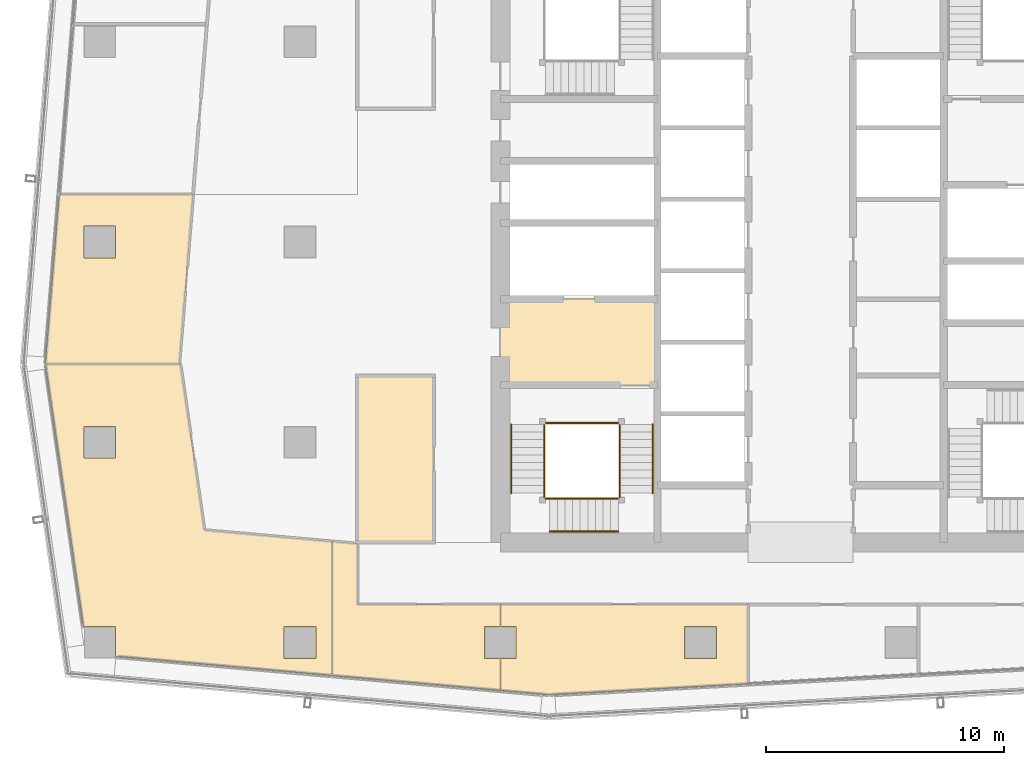
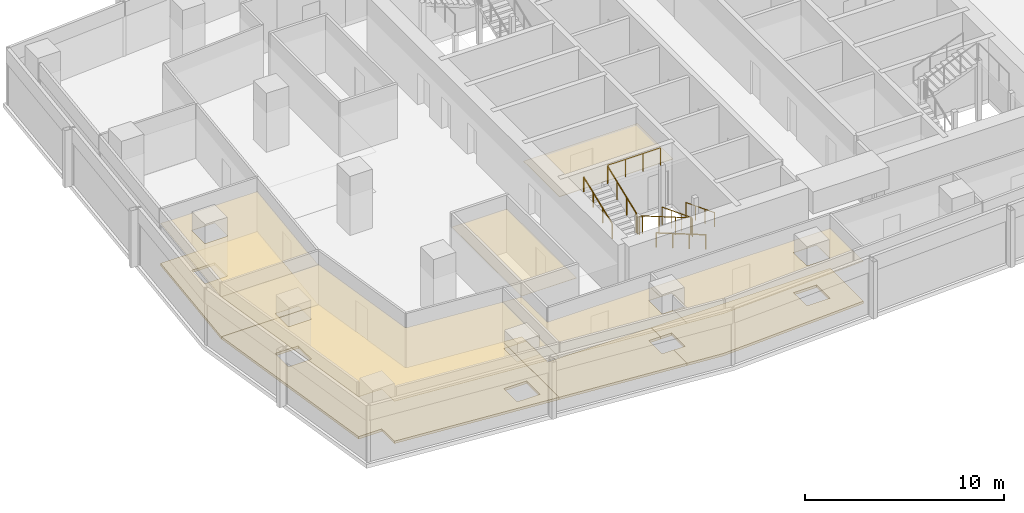
# One storey, part 26 of 29: 10 coverings, 10 railings.
"""IFC4 building model written with IfcOpenShell, lengths in metres."""

from ifc_helpers import new_model, si_unit, direction, frame, origin, origin_2d, place, context, subcontext, project, spatial, polyline, circle, outline, extrude, material, layer, layer_set, type_object, element, save


model = new_model("IFC4")

# Units and contexts
model_context = context("Model", 3, precision=1e-05, world=origin(), true_north=direction((0.0, 1.0)))
body_context = subcontext(model_context, "Body", "Model", "MODEL_VIEW")
ifc_project = project(units=[si_unit("LENGTHUNIT", "METRE"), si_unit("AREAUNIT", "SQUARE_METRE"), si_unit("VOLUMEUNIT", "CUBIC_METRE"), si_unit("PLANEANGLEUNIT", "RADIAN"), si_unit("MASSUNIT", "GRAM", prefix="KILO")], contexts=[model_context])

# Site, building, storey
site_placement = place(None, origin())
site = spatial("IfcSite", under=ifc_project, at=site_placement, CompositionType="ELEMENT")
building_placement = place(site_placement, origin())
building = spatial("IfcBuilding", under=site, at=building_placement, Name="Rekha Terrace Tower", CompositionType="ELEMENT")
storey_placement = place(building_placement, frame((0.0, 0.0, 276.35009765625)))
storey = spatial("IfcBuildingStorey", under=building, at=storey_placement, Name="L70", CompositionType="ELEMENT", Elevation=276.35009765625)

# Coverings
ifc_material_1 = material(Name="Mineral fibre tile in exposed grid", Category="finish")
ifc_layer_1 = layer(ifc_material_1, 0.02001953125)
ifc_layer_set_1 = layer_set([ifc_layer_1], Name="Mineral fibre tile in exposed grid")
covering_type_1 = type_object("IfcCoveringType", Name="CL1 600x1200 office grid ceiling", PredefinedType="CEILING", material=ifc_layer_set_1)
covering_1_placement = place(storey_placement, frame((0.0, 0.0, 2.579833984375)))
element("IfcCovering", 1, at=covering_1_placement, inside=storey, type_object=covering_type_1, Name="Ceiling L70-12", PredefinedType="CEILING", context=body_context, shape_type="SweptSolid", body=[
    extrude(outline(polyline([(11.73193359375, 28.491943359375), (12.30908203125, 35.589111328125), (6.69091796875, 35.589111328125), (6.113037109375, 28.491943359375), (11.73193359375, 28.491943359375)]), holes=[polyline([(9.06494140625, 34.264892578125), (9.06494140625, 32.93505859375), (7.735107421875, 32.93505859375), (7.735107421875, 34.264892578125), (9.06494140625, 34.264892578125)])]), origin(), (0.0, 0.0, 1.0), 0.02001953125),
])
covering_2_placement = place(storey_placement, frame((0.0, 0.0, 2.579833984375)))
element("IfcCovering", 2, at=covering_2_placement, inside=storey, type_object=covering_type_1, Name="Ceiling L70-13", PredefinedType="CEILING", context=body_context, shape_type="SweptSolid", body=[
    extrude(outline(polyline([(6.12109375, 28.490966796875), (7.715087890625, 17.465087890625), (9.06494140625, 17.465087890625), (9.06494140625, 16.22705078125), (18.14892578125, 15.4189453125), (18.14892578125, 21.041015625), (12.787109375, 21.51806640625), (11.779052734375, 28.490966796875), (6.12109375, 28.490966796875)]), holes=[polyline([(17.465087890625, 17.465087890625), (17.465087890625, 16.135009765625), (16.135009765625, 16.135009765625), (16.135009765625, 17.465087890625), (17.465087890625, 17.465087890625)]), polyline([(9.06494140625, 25.864990234375), (9.06494140625, 24.534912109375), (7.735107421875, 24.534912109375), (7.735107421875, 25.864990234375), (9.06494140625, 25.864990234375)])]), origin(), (0.0, 0.0, 1.0), 0.02001953125),
])
covering_3_placement = place(storey_placement, frame((0.0, 0.0, 2.579833984375)))
element("IfcCovering", 3, at=covering_3_placement, inside=storey, type_object=covering_type_1, Name="Ceiling L70-14", PredefinedType="CEILING", context=body_context, shape_type="SweptSolid", body=[
    extrude(outline(polyline([(19.199951171875, 18.39990234375), (19.199951171875, 20.947998046875), (18.14990234375, 21.041015625), (18.14990234375, 15.4189453125), (25.2060546875, 14.7919921875), (25.2060546875, 16.135009765625), (24.534912109375, 16.135009765625), (24.534912109375, 17.465087890625), (25.2060546875, 17.465087890625), (25.2060546875, 18.39990234375), (19.199951171875, 18.39990234375)])), origin(), (0.0, 0.0, 1.0), 0.02001953125),
])
covering_4_placement = place(storey_placement, frame((0.0, 0.0, 2.579833984375)))
element("IfcCovering", 4, at=covering_4_placement, inside=storey, type_object=covering_type_1, Name="Ceiling L70-15", PredefinedType="CEILING", context=body_context, shape_type="SweptSolid", body=[
    extrude(outline(polyline([(35.597900390625, 15.069091796875), (35.597900390625, 18.39990234375), (25.20703125, 18.39990234375), (25.20703125, 17.465087890625), (25.864990234375, 17.465087890625), (25.864990234375, 16.135009765625), (25.20703125, 16.135009765625), (25.20703125, 14.7919921875), (27.221923828125, 14.613037109375), (35.597900390625, 15.069091796875)]), holes=[polyline([(34.264892578125, 16.135009765625), (32.93505859375, 16.135009765625), (32.93505859375, 17.465087890625), (34.264892578125, 17.465087890625), (34.264892578125, 16.135009765625)])]), origin(), (0.0, 0.0, 1.0), 0.02001953125),
])
ifc_material_2 = material(Name="Fibre cement board", Category="finish")
ifc_layer_2 = layer(ifc_material_2, 0.014892578125)
ifc_layer_set_2 = layer_set([ifc_layer_2], Name="Fibre cement board")
covering_type_2 = type_object("IfcCoveringType", Name="CL2 moisture-resistant board ceiling", PredefinedType="CEILING", material=ifc_layer_set_2)
covering_5_placement = place(storey_placement, frame((0.0, 0.0, 2.5849609375)))
element("IfcCovering", 5, at=covering_5_placement, inside=storey, type_object=covering_type_2, Name="Ceiling L70-WCM", PredefinedType="CEILING", context=body_context, shape_type="SweptSolid", body=[
    extrude(outline(polyline([(22.39990234375, 28.0), (19.199951171875, 28.0), (19.199951171875, 21.0), (22.39990234375, 21.0), (22.39990234375, 28.0)])), origin(), (0.0, 0.0, 1.0), 0.014892578125),
])
ifc_material_3 = material(Name="Powder-coated aluminium pan", Category="aluminium")
ifc_layer_3 = layer(ifc_material_3, 0.030029296875)
ifc_layer_set_3 = layer_set([ifc_layer_3], Name="Powder-coated aluminium pan")
covering_type_3 = type_object("IfcCoveringType", Name="CL3 300x1200 metal pan ceiling", PredefinedType="CEILING", material=ifc_layer_set_3)
covering_6_placement = place(storey_placement, frame((0.0, 0.0, 2.56982421875)))
element("IfcCovering", 6, at=covering_6_placement, inside=storey, type_object=covering_type_3, Name="Ceiling L70-FLB1", PredefinedType="CEILING", context=body_context, shape_type="SweptSolid", body=[
    extrude(outline(polyline([(31.800048828125, 31.199951171875), (25.199951171875, 31.199951171875), (25.199951171875, 27.60009765625), (31.800048828125, 27.60009765625), (31.800048828125, 31.199951171875)])), origin(), (0.0, 0.0, 1.0), 0.030029296875),
])

# Railings
ifc_material_4 = material(Name="Stainless steel balustrade", Category="steel")
railing_type_1 = type_object("IfcRailingType", Name="GR1 1100 stair guard", PredefinedType="GUARDRAIL", material=ifc_material_4)
railing_1_placement = place(storey_placement, frame((30.2099609375, 25.949951171875, 0.125)))
element("IfcRailing", 7, at=railing_1_placement, inside=storey, type_object=railing_type_1, Name="Guard ST1 L70 flight 1", PredefinedType="GUARDRAIL", context=body_context, shape_type="SweptSolid", body=[
    extrude(circle(Radius=0.02392578125, at=origin_2d()), frame((0.0, 0.0, 1.076171875), z_axis=(0.0, -0.931452331594, 0.363863372667), x_axis=(1.0, 0.0, 0.0)), (0.0, 0.0, 1.0), 3.091796875),
    extrude(circle(Radius=0.02099609375, at=origin_2d()), origin(), (0.0, 0.0, 1.0), 1.052001953125),
    extrude(circle(Radius=0.02099609375, at=origin_2d()), frame((0.0, -0.9599609375, 0.375)), (0.0, 0.0, 1.0), 1.052001953125),
    extrude(circle(Radius=0.02099609375, at=origin_2d()), frame((0.0, -1.919921875, 0.75)), (0.0, 0.0, 1.0), 1.052001953125),
    extrude(circle(Radius=0.02099609375, at=origin_2d()), frame((0.0, -2.8798828125, 1.125)), (0.0, 0.0, 1.0), 1.052001953125),
])
railing_2_placement = place(storey_placement, frame((30.14990234375, 22.840087890625, 1.375)))
element("IfcRailing", 8, at=railing_2_placement, inside=storey, type_object=railing_type_1, Name="Guard ST1 L70 flight 2", PredefinedType="GUARDRAIL", context=body_context, shape_type="SweptSolid", body=[
    extrude(circle(Radius=0.02392578125, at=origin_2d()), frame((0.0, 0.0, 1.076171875), z_axis=(-0.931452331594, 0.0, 0.363863372667), x_axis=(0.0, -1.0, 0.0)), (0.0, 0.0, 1.0), 3.091796875),
    extrude(circle(Radius=0.02099609375, at=origin_2d()), origin(), (0.0, 0.0, 1.0), 1.052001953125),
    extrude(circle(Radius=0.02099609375, at=origin_2d()), frame((-0.9599609375, 0.0, 0.375)), (0.0, 0.0, 1.0), 1.052001953125),
    extrude(circle(Radius=0.02099609375, at=origin_2d()), frame((-1.919921875, 0.0, 0.75)), (0.0, 0.0, 1.0), 1.052001953125),
    extrude(circle(Radius=0.02099609375, at=origin_2d()), frame((-2.8798828125, 0.0, 1.125)), (0.0, 0.0, 1.0), 1.052001953125),
])
railing_3_placement = place(storey_placement, frame((27.0400390625, 23.070068359375, 2.625)))
element("IfcRailing", 9, at=railing_3_placement, inside=storey, type_object=railing_type_1, Name="Guard ST1 L70 flight 3", PredefinedType="GUARDRAIL", context=body_context, shape_type="SweptSolid", body=[
    extrude(circle(Radius=0.02392578125, at=origin_2d()), frame((0.0, 0.0, 1.076171875), z_axis=(0.0, 0.931452331594, 0.363863372667), x_axis=(-1.0, 0.0, 0.0)), (0.0, 0.0, 1.0), 3.091796875),
    extrude(circle(Radius=0.02099609375, at=origin_2d()), origin(), (0.0, 0.0, 1.0), 1.052001953125),
    extrude(circle(Radius=0.02099609375, at=origin_2d()), frame((0.0, 0.9599609375, 0.375)), (0.0, 0.0, 1.0), 1.052001953125),
    extrude(circle(Radius=0.02099609375, at=origin_2d()), frame((0.0, 1.919921875, 0.75)), (0.0, 0.0, 1.0), 1.052001953125),
    extrude(circle(Radius=0.02099609375, at=origin_2d()), frame((0.0, 2.8798828125, 1.125)), (0.0, 0.0, 1.0), 1.052001953125),
])
railing_4_placement = place(storey_placement, frame((30.2099609375, 23.070068359375, 1.25)))
element("IfcRailing", 10, at=railing_4_placement, inside=storey, type_object=railing_type_1, Name="Guard ST1 L70 landing 1", PredefinedType="GUARDRAIL", context=body_context, shape_type="SweptSolid", body=[
    extrude(circle(Radius=0.02392578125, at=origin_2d()), frame((0.0, 0.0, 1.076171875), z_axis=(0.0, -1.0, 0.0), x_axis=(1.0, 0.0, 0.0)), (0.0, 0.0, 1.0), 0.170166015625),
    extrude(circle(Radius=0.02099609375, at=origin_2d()), origin(), (0.0, 0.0, 1.0), 1.052001953125),
    extrude(circle(Radius=0.02099609375, at=origin_2d()), frame((0.0, -0.170166015625, 0.0)), (0.0, 0.0, 1.0), 1.052001953125),
])
railing_5_placement = place(storey_placement, frame((27.27001953125, 22.840087890625, 2.5)))
element("IfcRailing", 11, at=railing_5_placement, inside=storey, type_object=railing_type_1, Name="Guard ST1 L70 landing 2", PredefinedType="GUARDRAIL", context=body_context, shape_type="SweptSolid", body=[
    extrude(circle(Radius=0.02392578125, at=origin_2d()), frame((0.0, 0.0, 1.076171875), z_axis=(-1.0, 0.0, 0.0), x_axis=(0.0, -1.0, 0.0)), (0.0, 0.0, 1.0), 0.169921875),
    extrude(circle(Radius=0.02099609375, at=origin_2d()), origin(), (0.0, 0.0, 1.0), 1.052001953125),
    extrude(circle(Radius=0.02099609375, at=origin_2d()), frame((-0.169921875, 0.0, 0.0)), (0.0, 0.0, 1.0), 1.052001953125),
])
railing_6_placement = place(storey_placement, frame((27.0400390625, 23.070068359375, 2.5)))
element("IfcRailing", 12, at=railing_6_placement, inside=storey, type_object=railing_type_1, Name="Guard ST1 L70 landing 3", PredefinedType="GUARDRAIL", context=body_context, shape_type="SweptSolid", body=[
    extrude(circle(Radius=0.02392578125, at=origin_2d()), frame((0.0, 0.0, 1.076171875), z_axis=(0.0, -1.0, 0.0), x_axis=(1.0, 0.0, 0.0)), (0.0, 0.0, 1.0), 0.170166015625),
    extrude(circle(Radius=0.02099609375, at=origin_2d()), origin(), (0.0, 0.0, 1.0), 1.052001953125),
    extrude(circle(Radius=0.02099609375, at=origin_2d()), frame((0.0, -0.170166015625, 0.0)), (0.0, 0.0, 1.0), 1.052001953125),
])
railing_7_placement = place(storey_placement, frame((30.14990234375, 26.010009765625, 3.75)))
element("IfcRailing", 13, at=railing_7_placement, inside=storey, type_object=railing_type_1, Name="Guard ST1 L70 landing 4", PredefinedType="GUARDRAIL", context=body_context, shape_type="SweptSolid", body=[
    extrude(circle(Radius=0.02392578125, at=origin_2d()), frame((0.0, 0.0, 1.076171875), z_axis=(-1.0, 0.0, 0.0), x_axis=(0.0, -1.0, 0.0)), (0.0, 0.0, 1.0), 3.0498046875),
    extrude(circle(Radius=0.02099609375, at=origin_2d()), origin(), (0.0, 0.0, 1.0), 1.052001953125),
    extrude(circle(Radius=0.02099609375, at=origin_2d()), frame((-1.0166015625, 0.0, 0.0)), (0.0, 0.0, 1.0), 1.052001953125),
    extrude(circle(Radius=0.02099609375, at=origin_2d()), frame((-2.033203125, 0.0, 0.0)), (0.0, 0.0, 1.0), 1.052001953125),
    extrude(circle(Radius=0.02099609375, at=origin_2d()), frame((-3.0498046875, 0.0, 0.0)), (0.0, 0.0, 1.0), 1.052001953125),
])
ifc_material_5 = material(Name="Stainless steel tube", Category="steel")
railing_type_2 = type_object("IfcRailingType", Name="HR1 900 stair handrail", PredefinedType="HANDRAIL", material=ifc_material_5)
railing_8_placement = place(storey_placement, frame((31.590087890625, 25.949951171875, 0.125)))
element("IfcRailing", 14, at=railing_8_placement, inside=storey, type_object=railing_type_2, Name="Handrail ST1 L70 flight 1", PredefinedType="HANDRAIL", context=body_context, shape_type="SweptSolid", body=[
    extrude(circle(Radius=0.02392578125, at=origin_2d()), frame((0.0, 0.0, 0.8759765625), z_axis=(0.0, -0.931452331594, 0.363863372667), x_axis=(1.0, 0.0, 0.0)), (0.0, 0.0, 1.0), 3.091796875),
    extrude(circle(Radius=0.02099609375, at=origin_2d()), origin(), (0.0, 0.0, 1.0), 0.851806640625),
    extrude(circle(Radius=0.02099609375, at=origin_2d()), frame((0.0, -0.9599609375, 0.375)), (0.0, 0.0, 1.0), 0.851806640625),
    extrude(circle(Radius=0.02099609375, at=origin_2d()), frame((0.0, -1.919921875, 0.75)), (0.0, 0.0, 1.0), 0.851806640625),
    extrude(circle(Radius=0.02099609375, at=origin_2d()), frame((0.0, -2.8798828125, 1.125)), (0.0, 0.0, 1.0), 0.851806640625),
])
railing_9_placement = place(storey_placement, frame((30.14990234375, 21.4599609375, 1.375)))
element("IfcRailing", 15, at=railing_9_placement, inside=storey, type_object=railing_type_2, Name="Handrail ST1 L70 flight 2", PredefinedType="HANDRAIL", context=body_context, shape_type="SweptSolid", body=[
    extrude(circle(Radius=0.02392578125, at=origin_2d()), frame((0.0, 0.0, 0.8759765625), z_axis=(-0.931452331594, 0.0, 0.363863372667), x_axis=(0.0, -1.0, 0.0)), (0.0, 0.0, 1.0), 3.091796875),
    extrude(circle(Radius=0.02099609375, at=origin_2d()), origin(), (0.0, 0.0, 1.0), 0.851806640625),
    extrude(circle(Radius=0.02099609375, at=origin_2d()), frame((-0.9599609375, 0.0, 0.375)), (0.0, 0.0, 1.0), 0.851806640625),
    extrude(circle(Radius=0.02099609375, at=origin_2d()), frame((-1.919921875, 0.0, 0.75)), (0.0, 0.0, 1.0), 0.851806640625),
    extrude(circle(Radius=0.02099609375, at=origin_2d()), frame((-2.8798828125, 0.0, 1.125)), (0.0, 0.0, 1.0), 0.851806640625),
])
railing_10_placement = place(storey_placement, frame((25.659912109375, 23.070068359375, 2.625)))
element("IfcRailing", 16, at=railing_10_placement, inside=storey, type_object=railing_type_2, Name="Handrail ST1 L70 flight 3", PredefinedType="HANDRAIL", context=body_context, shape_type="SweptSolid", body=[
    extrude(circle(Radius=0.02392578125, at=origin_2d()), frame((0.0, 0.0, 0.8759765625), z_axis=(0.0, 0.931452331594, 0.363863372667), x_axis=(-1.0, 0.0, 0.0)), (0.0, 0.0, 1.0), 3.091796875),
    extrude(circle(Radius=0.02099609375, at=origin_2d()), origin(), (0.0, 0.0, 1.0), 0.851806640625),
    extrude(circle(Radius=0.02099609375, at=origin_2d()), frame((0.0, 0.9599609375, 0.375)), (0.0, 0.0, 1.0), 0.851806640625),
    extrude(circle(Radius=0.02099609375, at=origin_2d()), frame((0.0, 1.919921875, 0.75)), (0.0, 0.0, 1.0), 0.851806640625),
    extrude(circle(Radius=0.02099609375, at=origin_2d()), frame((0.0, 2.8798828125, 1.125)), (0.0, 0.0, 1.0), 0.851806640625),
])

# Coverings
ifc_material_6 = material(Name="Calcium sulphate panels on steel pedestals", Category="steel")
ifc_layer_4 = layer(ifc_material_6, 0.14990234375)
ifc_layer_set_4 = layer_set([ifc_layer_4], Name="Calcium sulphate panels on steel pedestals")
covering_type_4 = type_object("IfcCoveringType", Name="RF1 150 raised access floor", PredefinedType="FLOORING", material=ifc_layer_set_4)
covering_7_placement = place(storey_placement, origin())
element("IfcCovering", 17, at=covering_7_placement, inside=storey, type_object=covering_type_4, Name="Raised floor L70-12", PredefinedType="FLOORING", context=body_context, shape_type="SweptSolid", body=[
    extrude(outline(polyline([(11.73193359375, 28.491943359375), (12.30908203125, 35.589111328125), (6.69091796875, 35.589111328125), (6.113037109375, 28.491943359375), (11.73193359375, 28.491943359375)]), holes=[polyline([(9.06494140625, 34.264892578125), (9.06494140625, 32.93505859375), (7.735107421875, 32.93505859375), (7.735107421875, 34.264892578125), (9.06494140625, 34.264892578125)])]), origin(), (0.0, 0.0, 1.0), 0.14990234375),
])
covering_8_placement = place(storey_placement, origin())
element("IfcCovering", 18, at=covering_8_placement, inside=storey, type_object=covering_type_4, Name="Raised floor L70-13", PredefinedType="FLOORING", context=body_context, shape_type="SweptSolid", body=[
    extrude(outline(polyline([(6.12109375, 28.490966796875), (7.715087890625, 17.465087890625), (9.06494140625, 17.465087890625), (9.06494140625, 16.22705078125), (18.14892578125, 15.4189453125), (18.14892578125, 21.041015625), (12.787109375, 21.51806640625), (11.779052734375, 28.490966796875), (6.12109375, 28.490966796875)]), holes=[polyline([(17.465087890625, 17.465087890625), (17.465087890625, 16.135009765625), (16.135009765625, 16.135009765625), (16.135009765625, 17.465087890625), (17.465087890625, 17.465087890625)]), polyline([(9.06494140625, 25.864990234375), (9.06494140625, 24.534912109375), (7.735107421875, 24.534912109375), (7.735107421875, 25.864990234375), (9.06494140625, 25.864990234375)])]), origin(), (0.0, 0.0, 1.0), 0.14990234375),
])
covering_9_placement = place(storey_placement, origin())
element("IfcCovering", 19, at=covering_9_placement, inside=storey, type_object=covering_type_4, Name="Raised floor L70-14", PredefinedType="FLOORING", context=body_context, shape_type="SweptSolid", body=[
    extrude(outline(polyline([(19.199951171875, 18.39990234375), (19.199951171875, 20.947998046875), (18.14990234375, 21.041015625), (18.14990234375, 15.4189453125), (25.2060546875, 14.7919921875), (25.2060546875, 16.135009765625), (24.534912109375, 16.135009765625), (24.534912109375, 17.465087890625), (25.2060546875, 17.465087890625), (25.2060546875, 18.39990234375), (19.199951171875, 18.39990234375)])), origin(), (0.0, 0.0, 1.0), 0.14990234375),
])
covering_10_placement = place(storey_placement, origin())
element("IfcCovering", 20, at=covering_10_placement, inside=storey, type_object=covering_type_4, Name="Raised floor L70-15", PredefinedType="FLOORING", context=body_context, shape_type="SweptSolid", body=[
    extrude(outline(polyline([(35.597900390625, 15.069091796875), (35.597900390625, 18.39990234375), (25.20703125, 18.39990234375), (25.20703125, 17.465087890625), (25.864990234375, 17.465087890625), (25.864990234375, 16.135009765625), (25.20703125, 16.135009765625), (25.20703125, 14.7919921875), (27.221923828125, 14.613037109375), (35.597900390625, 15.069091796875)]), holes=[polyline([(34.264892578125, 16.135009765625), (32.93505859375, 16.135009765625), (32.93505859375, 17.465087890625), (34.264892578125, 17.465087890625), (34.264892578125, 16.135009765625)])]), origin(), (0.0, 0.0, 1.0), 0.14990234375),
])

save(model, "model.ifc")
